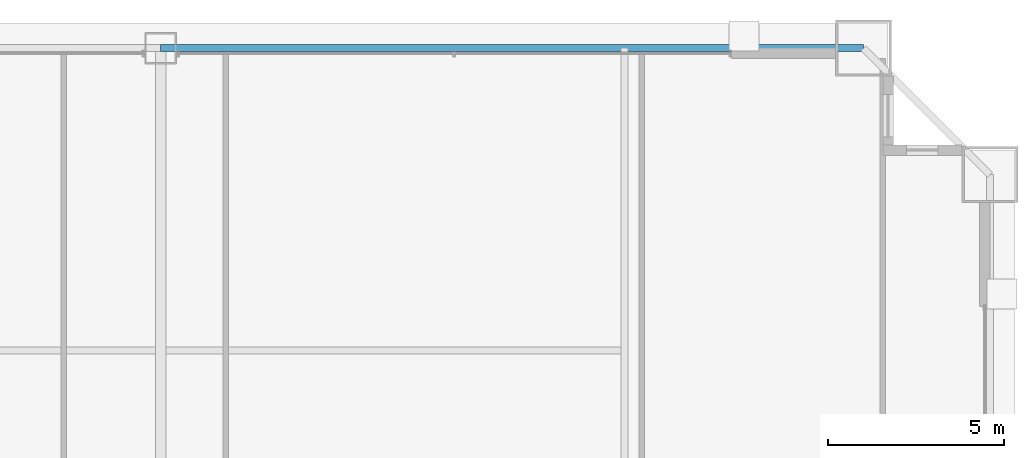
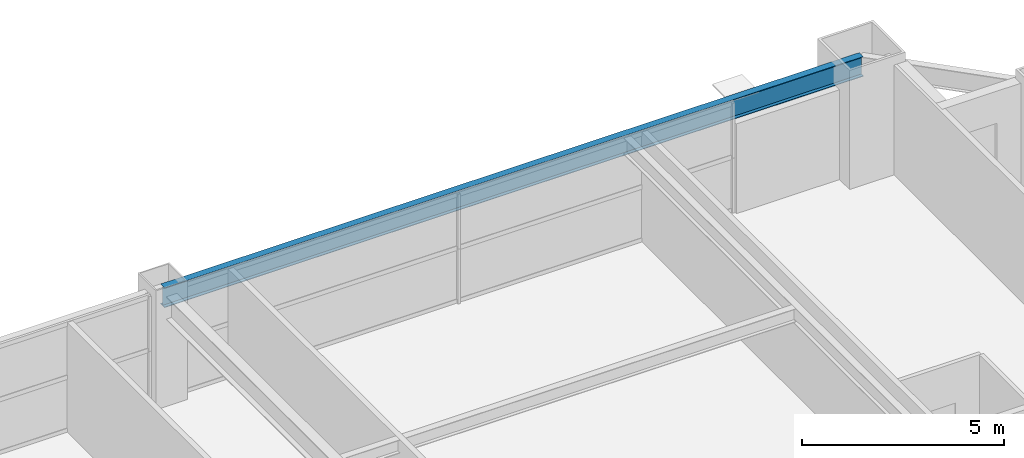
# One storey, part 31 of 38: 1 beam.
"""IFC4 building model written with IfcOpenShell, lengths in metres."""

from ifc_helpers import new_model, si_unit, direction, frame, origin, origin_2d, place, context, subcontext, project, spatial, i_section, extrude, source, transform, mapped, material, material_profile, profile_set, type_object, element, save


model = new_model("IFC4")

# Units and contexts
model_context = context("Model", 3, precision=1e-05, world=origin(), true_north=direction((0.0, 1.0)))
body_context = subcontext(model_context, "Body", "Model", "MODEL_VIEW")
ifc_project = project(units=[si_unit("LENGTHUNIT", "METRE"), si_unit("AREAUNIT", "SQUARE_METRE"), si_unit("VOLUMEUNIT", "CUBIC_METRE"), si_unit("PLANEANGLEUNIT", "RADIAN"), si_unit("MASSUNIT", "GRAM", prefix="KILO"), si_unit("THERMODYNAMICTEMPERATUREUNIT", "KELVIN"), si_unit("POWERUNIT", "WATT")], contexts=[model_context])

# Site, building, storey
site_placement = place(None, origin())
site = spatial("IfcSite", under=ifc_project, at=site_placement, CompositionType="ELEMENT")
building_placement = place(site_placement, origin())
building = spatial("IfcBuilding", under=site, at=building_placement, Name="Yuzanri Waterfront Tower", CompositionType="ELEMENT")
storey_placement = place(building_placement, frame((0.0, 0.0, 126.199951171875)))
storey = spatial("IfcBuildingStorey", under=building, at=storey_placement, Name="L33", CompositionType="ELEMENT", Elevation=126.199951171875)

# Beam
ifc_material = material(Name="Steel Q355B", Category="steel")
ifc_material_profile = material_profile(ifc_material, i_section(OverallWidth=0.199951171875, OverallDepth=0.60009765625, WebThickness=0.010986328125, FlangeThickness=0.01708984375, at=origin_2d()), Name="HN 600x200x11x17")
ifc_profile_set = profile_set([ifc_material_profile], Name="Steel Q355B")
beam_type = type_object("IfcBeamType", Name="Perimeter Spandrel Q355B HN 600x200", PredefinedType="SPANDREL", material=ifc_profile_set)
shared_shape = source(origin(), body_context, "Body", "SweptSolid", [
    extrude(i_section(OverallWidth=0.199951171875, OverallDepth=0.60009765625, WebThickness=0.010986328125, FlangeThickness=0.01708984375, at=origin_2d()), origin(), (0.0, 0.0, 1.0), 20.0),
])
beam_placement = place(storey_placement, frame((57.0, 49.39990234375, 3.02001953125), z_axis=(-1.0, 0.0, 0.0), x_axis=(0.0, -1.0, 0.0)))
element("IfcBeam", 1, at=beam_placement, inside=storey, type_object=beam_type, Name="L33 Perimeter Spandrel N3-N2", PredefinedType="SPANDREL", context=body_context, shape_type="MappedRepresentation", body=[
    mapped(shared_shape, transform((0.0, 0.0, 0.0), scale=1.0)),
])

save(model, "model.ifc")
